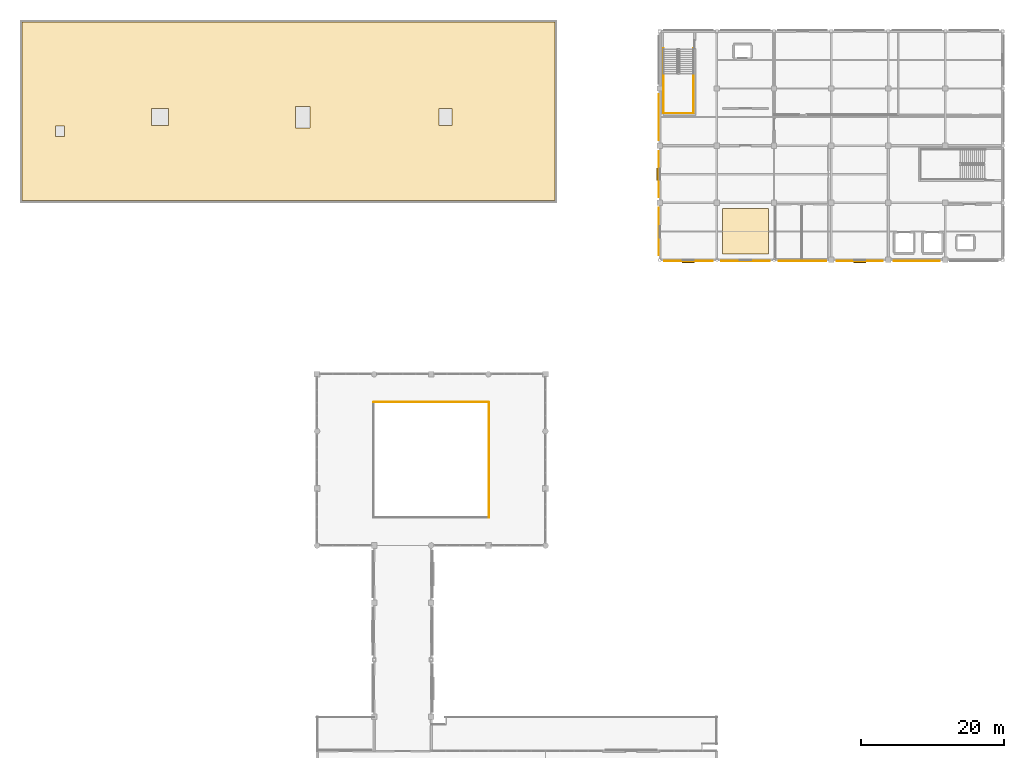
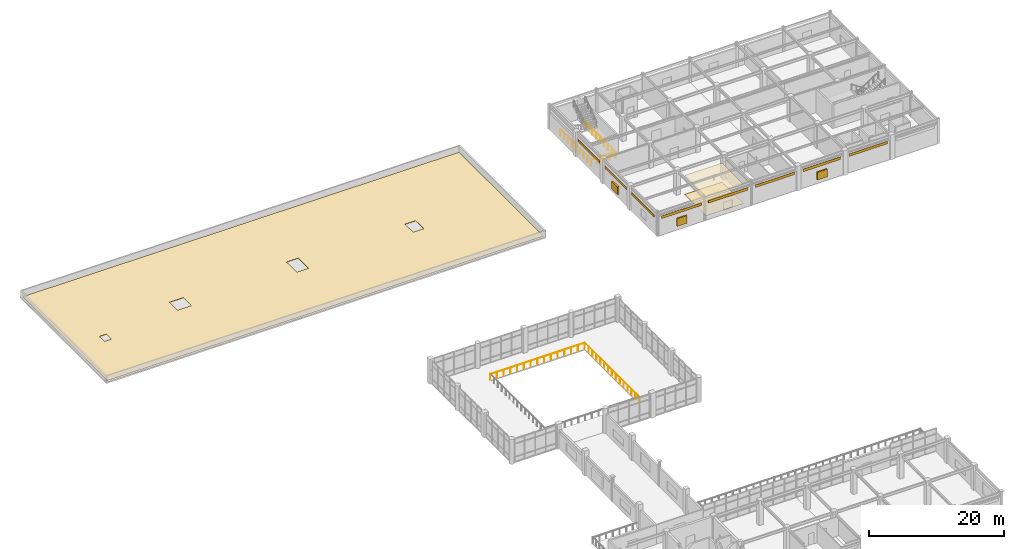
# One storey, part 39 of 42: 11 coverings, 5 railings, 3 shading devices.
"""IFC4 building model written with IfcOpenShell, lengths in metres."""

from ifc_helpers import new_model, si_unit, direction, frame, origin, origin_2d, place, context, subcontext, project, spatial, polyline, rectangle, circle, outline, extrude, material, layer, layer_set, type_object, element, save


model = new_model("IFC4")

# Units and contexts
model_context = context("Model", 3, precision=1e-05, world=origin(), true_north=direction((0.0, 1.0)))
body_context = subcontext(model_context, "Body", "Model", "MODEL_VIEW")
ifc_project = project(units=[si_unit("LENGTHUNIT", "METRE"), si_unit("AREAUNIT", "SQUARE_METRE"), si_unit("VOLUMEUNIT", "CUBIC_METRE"), si_unit("PLANEANGLEUNIT", "RADIAN"), si_unit("MASSUNIT", "GRAM", prefix="KILO")], contexts=[model_context])

# Site, building, storey
site_placement = place(None, origin())
site = spatial("IfcSite", under=ifc_project, at=site_placement, CompositionType="ELEMENT")
building_placement = place(site_placement, origin())
building = spatial("IfcBuilding", under=site, at=building_placement, Name="Solmirada Galleria", CompositionType="ELEMENT")
storey_placement = place(building_placement, frame((0.0, 0.0, 28.39990234375)))
storey = spatial("IfcBuildingStorey", under=building, at=storey_placement, Name="L06", CompositionType="ELEMENT", Elevation=28.39990234375)

# Coverings
ifc_material_1 = material(Name="Perforated acoustic mineral-fibre ceiling")
ifc_layer_1 = layer(ifc_material_1, 0.02490234375)
ifc_layer_set_1 = layer_set([ifc_layer_1], Name="Perforated acoustic mineral-fibre ceiling")
covering_type_1 = type_object("IfcCoveringType", Name="COV-CEIL-ACOUST", PredefinedType="CEILING", material=ifc_layer_set_1)
covering_1_placement = place(storey_placement, frame((0.0, 0.0, 3.4501953125)))
element("IfcCovering", 1, at=covering_1_placement, inside=storey, type_object=covering_type_1, Name="Acoustic ceiling panel L06-3", PredefinedType="CEILING", context=body_context, shape_type="SweptSolid", body=[
    extrude(outline(polyline([(136.800048828125, 88.800048828125), (143.199951171875, 88.800048828125), (143.199951171875, 95.199951171875), (136.800048828125, 95.199951171875), (136.800048828125, 88.800048828125)])), origin(), (0.0, 0.0, 1.0), 0.02490234375),
])
ifc_material_2 = material(Name="Limestone cladding panels", Category="masonry")
ifc_layer_2 = layer(ifc_material_2, 0.044921875)
ifc_layer_set_2 = layer_set([ifc_layer_2], Name="Limestone cladding panels")
covering_type_2 = type_object("IfcCoveringType", Name="COV-CLAD-LIME", PredefinedType="CLADDING", material=ifc_layer_set_2)
covering_2_placement = place(storey_placement, frame((156.0, 87.842529296875, 2.990234375), z_axis=(0.0, 0.0, 1.0), x_axis=(-1.0, 0.0, 0.0)))
element("IfcCovering", 2, at=covering_2_placement, inside=storey, type_object=covering_type_2, Name="Postmodern facade cladding L06-401", PredefinedType="CLADDING", context=body_context, shape_type="SweptSolid", body=[
    extrude(rectangle(XDim=6.449951171875, YDim=0.044921875, at=origin_2d()), origin(), (0.0, 0.0, 1.0), 0.4599609375),
])
covering_3_placement = place(storey_placement, frame((140.0, 87.842529296875, 2.990234375), z_axis=(0.0, 0.0, 1.0), x_axis=(-1.0, 0.0, 0.0)))
element("IfcCovering", 3, at=covering_3_placement, inside=storey, type_object=covering_type_2, Name="Postmodern facade cladding L06-403", PredefinedType="CLADDING", context=body_context, shape_type="SweptSolid", body=[
    extrude(rectangle(XDim=6.7939453125, YDim=0.044921875, at=origin_2d()), origin(), (0.0, 0.0, 1.0), 0.4599609375),
])
covering_4_placement = place(storey_placement, frame((127.842529296875, 92.0, 2.990234375), z_axis=(0.0, 0.0, 1.0), x_axis=(0.0, 1.0, 0.0)))
element("IfcCovering", 4, at=covering_4_placement, inside=storey, type_object=covering_type_2, Name="Postmodern facade cladding L06-405", PredefinedType="CLADDING", context=body_context, shape_type="SweptSolid", body=[
    extrude(rectangle(XDim=6.6220703125, YDim=0.044921875, at=origin_2d()), origin(), (0.0, 0.0, 1.0), 0.4599609375),
])
covering_5_placement = place(storey_placement, frame((127.842529296875, 108.0, 2.990234375), z_axis=(0.0, 0.0, 1.0), x_axis=(0.0, 1.0, 0.0)))
element("IfcCovering", 5, at=covering_5_placement, inside=storey, type_object=covering_type_2, Name="Postmodern facade cladding L06-407", PredefinedType="CLADDING", context=body_context, shape_type="SweptSolid", body=[
    extrude(rectangle(XDim=6.449951171875, YDim=0.044921875, at=origin_2d()), origin(), (0.0, 0.0, 1.0), 0.4599609375),
])
ifc_material_3 = material(Name="Glazed terracotta facade panels", Category="masonry")
ifc_layer_3 = layer(ifc_material_3, 0.0400390625)
ifc_layer_set_3 = layer_set([ifc_layer_3], Name="Glazed terracotta facade panels")
covering_type_3 = type_object("IfcCoveringType", Name="COV-CLAD-TERRA", PredefinedType="CLADDING", material=ifc_layer_set_3)
covering_6_placement = place(storey_placement, frame((164.0, 87.844970703125, 2.990234375), z_axis=(0.0, 0.0, 1.0), x_axis=(-1.0, 0.0, 0.0)))
element("IfcCovering", 6, at=covering_6_placement, inside=storey, type_object=covering_type_3, Name="Postmodern facade cladding L06-400", PredefinedType="CLADDING", context=body_context, shape_type="SweptSolid", body=[
    extrude(rectangle(XDim=6.449951171875, YDim=0.0400390625, at=origin_2d()), origin(), (0.0, 0.0, 1.0), 0.4599609375),
])
covering_7_placement = place(storey_placement, frame((148.0, 87.844970703125, 2.990234375), z_axis=(0.0, 0.0, 1.0), x_axis=(-1.0, 0.0, 0.0)))
element("IfcCovering", 7, at=covering_7_placement, inside=storey, type_object=covering_type_3, Name="Postmodern facade cladding L06-402", PredefinedType="CLADDING", context=body_context, shape_type="SweptSolid", body=[
    extrude(rectangle(XDim=6.6220703125, YDim=0.0400390625, at=origin_2d()), origin(), (0.0, 0.0, 1.0), 0.4599609375),
])
covering_8_placement = place(storey_placement, frame((132.0, 87.844970703125, 2.990234375), z_axis=(0.0, 0.0, 1.0), x_axis=(-1.0, 0.0, 0.0)))
element("IfcCovering", 8, at=covering_8_placement, inside=storey, type_object=covering_type_3, Name="Postmodern facade cladding L06-404", PredefinedType="CLADDING", context=body_context, shape_type="SweptSolid", body=[
    extrude(rectangle(XDim=6.7939453125, YDim=0.0400390625, at=origin_2d()), origin(), (0.0, 0.0, 1.0), 0.4599609375),
])
covering_9_placement = place(storey_placement, frame((127.844970703125, 100.0, 2.990234375), z_axis=(0.0, 0.0, 1.0), x_axis=(0.0, 1.0, 0.0)))
element("IfcCovering", 9, at=covering_9_placement, inside=storey, type_object=covering_type_3, Name="Postmodern facade cladding L06-406", PredefinedType="CLADDING", context=body_context, shape_type="SweptSolid", body=[
    extrude(rectangle(XDim=6.449951171875, YDim=0.0400390625, at=origin_2d()), origin(), (0.0, 0.0, 1.0), 0.4599609375),
])
ifc_material_4 = material(Name="Polished terrazzo and porcelain tile flooring")
ifc_layer_4 = layer(ifc_material_4, 0.030029296875)
ifc_layer_set_4 = layer_set([ifc_layer_4], Name="Polished terrazzo and porcelain tile flooring")
covering_type_4 = type_object("IfcCoveringType", Name="COV-FLOOR-TERRAZ", PredefinedType="FLOORING", material=ifc_layer_set_4)
covering_10_placement = place(storey_placement, origin())
element("IfcCovering", 10, at=covering_10_placement, inside=storey, type_object=covering_type_4, Name="Terrazzo floor finish L06-3", PredefinedType="FLOORING", context=body_context, shape_type="SweptSolid", body=[
    extrude(outline(polyline([(136.800048828125, 88.800048828125), (143.199951171875, 88.800048828125), (143.199951171875, 95.199951171875), (136.800048828125, 95.199951171875), (136.800048828125, 88.800048828125)])), origin(), (0.0, 0.0, 1.0), 0.030029296875),
])
ifc_material_5 = material(Name="Insulated TPO and standing-seam roofing membrane")
ifc_layer_5 = layer(ifc_material_5, 0.06005859375)
ifc_layer_set_5 = layer_set([ifc_layer_5], Name="Insulated TPO and standing-seam roofing membrane")
covering_type_5 = type_object("IfcCoveringType", Name="COV-ROOF-MEM", PredefinedType="ROOFING", material=ifc_layer_set_5)
covering_11_placement = place(storey_placement, origin())
element("IfcCovering", 11, at=covering_11_placement, inside=storey, type_object=covering_type_5, Name="Insulated roof membrane ROOF-NORTH-MAIN", PredefinedType="ROOFING", context=body_context, shape_type="SweptSolid", body=[
    extrude(outline(polyline([(38.699951171875, 96.300048828125), (113.300048828125, 96.300048828125), (113.300048828125, 121.300048828125), (38.699951171875, 121.300048828125), (38.699951171875, 96.300048828125)]), holes=[polyline([(56.800048828125, 106.800048828125), (59.199951171875, 106.800048828125), (59.199951171875, 109.199951171875), (56.800048828125, 109.199951171875), (56.800048828125, 106.800048828125)]), polyline([(77.0, 106.5), (79.0, 106.5), (79.0, 109.5), (77.0, 109.5), (77.0, 106.5)]), polyline([(97.10009765625, 106.800048828125), (98.89990234375, 106.800048828125), (98.89990234375, 109.199951171875), (97.10009765625, 109.199951171875), (97.10009765625, 106.800048828125)]), polyline([(43.39990234375, 105.25), (44.60009765625, 105.25), (44.60009765625, 106.75), (43.39990234375, 106.75), (43.39990234375, 105.25)])]), origin(), (0.0, 0.0, 1.0), 0.06005859375),
])

# Railings
ifc_material_6 = material(Name="Tempered laminated glass and stainless-steel balustrade", Category="steel")
railing_type_1 = type_object("IfcRailingType", Name="RAIL-ATRIUM-BAL", PredefinedType="BALUSTRADE", material=ifc_material_6)
railing_1_placement = place(storey_placement, frame((104.080078125, 51.919921875, 0.0)))
element("IfcRailing", 12, at=railing_1_placement, inside=storey, type_object=railing_type_1, Name="Void balustrade ATRIUM L06-E1", PredefinedType="BALUSTRADE", context=body_context, shape_type="SweptSolid", body=[
    extrude(circle(Radius=0.02392578125, at=origin_2d()), frame((0.0, 0.0, 1.09619140625), z_axis=(0.0, 1.0, 0.0), x_axis=(-1.0, 0.0, 0.0)), (0.0, 0.0, 1.0), 16.16015625),
    extrude(circle(Radius=0.02099609375, at=origin_2d()), origin(), (0.0, 0.0, 1.0), 1.068115234375),
    extrude(circle(Radius=0.02099609375, at=origin_2d()), frame((0.0, 1.154296875, 0.0)), (0.0, 0.0, 1.0), 1.068115234375),
    extrude(circle(Radius=0.02099609375, at=origin_2d()), frame((0.0, 2.30859375, 0.0)), (0.0, 0.0, 1.0), 1.068115234375),
    extrude(circle(Radius=0.02099609375, at=origin_2d()), frame((0.0, 3.462890625, 0.0)), (0.0, 0.0, 1.0), 1.068115234375),
    extrude(circle(Radius=0.02099609375, at=origin_2d()), frame((0.0, 4.6171875, 0.0)), (0.0, 0.0, 1.0), 1.068115234375),
    extrude(circle(Radius=0.02099609375, at=origin_2d()), frame((0.0, 5.771484375, 0.0)), (0.0, 0.0, 1.0), 1.068115234375),
    extrude(circle(Radius=0.02099609375, at=origin_2d()), frame((0.0, 6.92578125, 0.0)), (0.0, 0.0, 1.0), 1.068115234375),
    extrude(circle(Radius=0.02099609375, at=origin_2d()), frame((0.0, 8.080078125, 0.0)), (0.0, 0.0, 1.0), 1.068115234375),
    extrude(circle(Radius=0.02099609375, at=origin_2d()), frame((0.0, 9.234375, 0.0)), (0.0, 0.0, 1.0), 1.068115234375),
    extrude(circle(Radius=0.02099609375, at=origin_2d()), frame((0.0, 10.388671875, 0.0)), (0.0, 0.0, 1.0), 1.068115234375),
    extrude(circle(Radius=0.02099609375, at=origin_2d()), frame((0.0, 11.54296875, 0.0)), (0.0, 0.0, 1.0), 1.068115234375),
    extrude(circle(Radius=0.02099609375, at=origin_2d()), frame((0.0, 12.697265625, 0.0)), (0.0, 0.0, 1.0), 1.068115234375),
    extrude(circle(Radius=0.02099609375, at=origin_2d()), frame((0.0, 13.8515625, 0.0)), (0.0, 0.0, 1.0), 1.068115234375),
    extrude(circle(Radius=0.02099609375, at=origin_2d()), frame((0.0, 15.005859375, 0.0)), (0.0, 0.0, 1.0), 1.068115234375),
    extrude(circle(Radius=0.02099609375, at=origin_2d()), frame((0.0, 16.16015625, 0.0)), (0.0, 0.0, 1.0), 1.068115234375),
])
railing_2_placement = place(storey_placement, frame((87.919921875, 68.080078125, 0.0)))
element("IfcRailing", 13, at=railing_2_placement, inside=storey, type_object=railing_type_1, Name="Void balustrade ATRIUM L06-N", PredefinedType="BALUSTRADE", context=body_context, shape_type="SweptSolid", body=[
    extrude(circle(Radius=0.02392578125, at=origin_2d()), frame((0.0, 0.0, 1.09619140625), z_axis=(1.0, 0.0, 0.0), x_axis=(0.0, 1.0, 0.0)), (0.0, 0.0, 1.0), 16.16015625),
    extrude(circle(Radius=0.02099609375, at=origin_2d()), origin(), (0.0, 0.0, 1.0), 1.068115234375),
    extrude(circle(Radius=0.02099609375, at=origin_2d()), frame((1.154296875, 0.0, 0.0)), (0.0, 0.0, 1.0), 1.068115234375),
    extrude(circle(Radius=0.02099609375, at=origin_2d()), frame((2.30859375, 0.0, 0.0)), (0.0, 0.0, 1.0), 1.068115234375),
    extrude(circle(Radius=0.02099609375, at=origin_2d()), frame((3.462890625, 0.0, 0.0)), (0.0, 0.0, 1.0), 1.068115234375),
    extrude(circle(Radius=0.02099609375, at=origin_2d()), frame((4.6171875, 0.0, 0.0)), (0.0, 0.0, 1.0), 1.068115234375),
    extrude(circle(Radius=0.02099609375, at=origin_2d()), frame((5.771484375, 0.0, 0.0)), (0.0, 0.0, 1.0), 1.068115234375),
    extrude(circle(Radius=0.02099609375, at=origin_2d()), frame((6.92578125, 0.0, 0.0)), (0.0, 0.0, 1.0), 1.068115234375),
    extrude(circle(Radius=0.02099609375, at=origin_2d()), frame((8.080078125, 0.0, 0.0)), (0.0, 0.0, 1.0), 1.068115234375),
    extrude(circle(Radius=0.02099609375, at=origin_2d()), frame((9.234375, 0.0, 0.0)), (0.0, 0.0, 1.0), 1.068115234375),
    extrude(circle(Radius=0.02099609375, at=origin_2d()), frame((10.388671875, 0.0, 0.0)), (0.0, 0.0, 1.0), 1.068115234375),
    extrude(circle(Radius=0.02099609375, at=origin_2d()), frame((11.54296875, 0.0, 0.0)), (0.0, 0.0, 1.0), 1.068115234375),
    extrude(circle(Radius=0.02099609375, at=origin_2d()), frame((12.697265625, 0.0, 0.0)), (0.0, 0.0, 1.0), 1.068115234375),
    extrude(circle(Radius=0.02099609375, at=origin_2d()), frame((13.8515625, 0.0, 0.0)), (0.0, 0.0, 1.0), 1.068115234375),
    extrude(circle(Radius=0.02099609375, at=origin_2d()), frame((15.005859375, 0.0, 0.0)), (0.0, 0.0, 1.0), 1.068115234375),
    extrude(circle(Radius=0.02099609375, at=origin_2d()), frame((16.16015625, 0.0, 0.0)), (0.0, 0.0, 1.0), 1.068115234375),
])
ifc_material_7 = material(Name="Painted steel tubular railing", Category="steel")
railing_type_2 = type_object("IfcRailingType", Name="RAIL-STAIR-GUARD", PredefinedType="GUARDRAIL", material=ifc_material_7)
railing_3_placement = place(storey_placement, frame((132.7099609375, 117.64990234375, 0.0)))
element("IfcRailing", 14, at=railing_3_placement, inside=storey, type_object=railing_type_2, Name="Stair ST3 well edge guard L06-1", PredefinedType="GUARDRAIL", context=body_context, shape_type="SweptSolid", body=[
    extrude(circle(Radius=0.02392578125, at=origin_2d()), frame((0.0, 0.0, 1.09619140625), z_axis=(0.0, -1.0, 0.0), x_axis=(1.0, 0.0, 0.0)), (0.0, 0.0, 1.0), 9.10986328125),
    extrude(circle(Radius=0.02099609375, at=origin_2d()), origin(), (0.0, 0.0, 1.0), 1.068115234375),
    extrude(circle(Radius=0.02099609375, at=origin_2d()), frame((0.0, -1.138671875, 0.0)), (0.0, 0.0, 1.0), 1.068115234375),
    extrude(circle(Radius=0.02099609375, at=origin_2d()), frame((0.0, -2.27734375, 0.0)), (0.0, 0.0, 1.0), 1.068115234375),
    extrude(circle(Radius=0.02099609375, at=origin_2d()), frame((0.0, -3.416259765625, 0.0)), (0.0, 0.0, 1.0), 1.068115234375),
    extrude(circle(Radius=0.02099609375, at=origin_2d()), frame((0.0, -4.554931640625, 0.0)), (0.0, 0.0, 1.0), 1.068115234375),
    extrude(circle(Radius=0.02099609375, at=origin_2d()), frame((0.0, -5.693603515625, 0.0)), (0.0, 0.0, 1.0), 1.068115234375),
    extrude(circle(Radius=0.02099609375, at=origin_2d()), frame((0.0, -6.83251953125, 0.0)), (0.0, 0.0, 1.0), 1.068115234375),
    extrude(circle(Radius=0.02099609375, at=origin_2d()), frame((0.0, -7.97119140625, 0.0)), (0.0, 0.0, 1.0), 1.068115234375),
    extrude(circle(Radius=0.02099609375, at=origin_2d()), frame((0.0, -9.10986328125, 0.0)), (0.0, 0.0, 1.0), 1.068115234375),
])
railing_4_placement = place(storey_placement, frame((132.7099609375, 108.5400390625, 0.0)))
element("IfcRailing", 15, at=railing_4_placement, inside=storey, type_object=railing_type_2, Name="Stair ST3 well edge guard L06-2", PredefinedType="GUARDRAIL", context=body_context, shape_type="SweptSolid", body=[
    extrude(circle(Radius=0.02392578125, at=origin_2d()), frame((0.0, 0.0, 1.09619140625), z_axis=(-1.0, 0.0, 0.0), x_axis=(0.0, -1.0, 0.0)), (0.0, 0.0, 1.0), 4.169921875),
    extrude(circle(Radius=0.02099609375, at=origin_2d()), origin(), (0.0, 0.0, 1.0), 1.068115234375),
    extrude(circle(Radius=0.02099609375, at=origin_2d()), frame((-1.04248046875, 0.0, 0.0)), (0.0, 0.0, 1.0), 1.068115234375),
    extrude(circle(Radius=0.02099609375, at=origin_2d()), frame((-2.0849609375, 0.0, 0.0)), (0.0, 0.0, 1.0), 1.068115234375),
    extrude(circle(Radius=0.02099609375, at=origin_2d()), frame((-3.12744140625, 0.0, 0.0)), (0.0, 0.0, 1.0), 1.068115234375),
    extrude(circle(Radius=0.02099609375, at=origin_2d()), frame((-4.169921875, 0.0, 0.0)), (0.0, 0.0, 1.0), 1.068115234375),
])
railing_5_placement = place(storey_placement, frame((128.5400390625, 108.5400390625, 0.0)))
element("IfcRailing", 16, at=railing_5_placement, inside=storey, type_object=railing_type_2, Name="Stair ST3 well edge guard L06-3", PredefinedType="GUARDRAIL", context=body_context, shape_type="SweptSolid", body=[
    extrude(circle(Radius=0.02392578125, at=origin_2d()), frame((0.0, 0.0, 1.09619140625), z_axis=(0.0, 1.0, 0.0), x_axis=(-1.0, 0.0, 0.0)), (0.0, 0.0, 1.0), 9.10986328125),
    extrude(circle(Radius=0.02099609375, at=origin_2d()), origin(), (0.0, 0.0, 1.0), 1.068115234375),
    extrude(circle(Radius=0.02099609375, at=origin_2d()), frame((0.0, 1.138671875, 0.0)), (0.0, 0.0, 1.0), 1.068115234375),
    extrude(circle(Radius=0.02099609375, at=origin_2d()), frame((0.0, 2.27734375, 0.0)), (0.0, 0.0, 1.0), 1.068115234375),
    extrude(circle(Radius=0.02099609375, at=origin_2d()), frame((0.0, 3.416259765625, 0.0)), (0.0, 0.0, 1.0), 1.068115234375),
    extrude(circle(Radius=0.02099609375, at=origin_2d()), frame((0.0, 4.554931640625, 0.0)), (0.0, 0.0, 1.0), 1.068115234375),
    extrude(circle(Radius=0.02099609375, at=origin_2d()), frame((0.0, 5.693603515625, 0.0)), (0.0, 0.0, 1.0), 1.068115234375),
    extrude(circle(Radius=0.02099609375, at=origin_2d()), frame((0.0, 6.83251953125, 0.0)), (0.0, 0.0, 1.0), 1.068115234375),
    extrude(circle(Radius=0.02099609375, at=origin_2d()), frame((0.0, 7.97119140625, 0.0)), (0.0, 0.0, 1.0), 1.068115234375),
    extrude(circle(Radius=0.02099609375, at=origin_2d()), frame((0.0, 9.10986328125, 0.0)), (0.0, 0.0, 1.0), 1.068115234375),
])

# Shading devices
ifc_material_8 = material(Name="Extruded aluminium storm louvres", Category="aluminium")
shading_device_type = type_object("IfcShadingDeviceType", Name="SHD-JALOUSIE", PredefinedType="JALOUSIE", material=ifc_material_8)
for number, where, z_axis, x_axis, name in (
    (17, (156.0, 87.735107421875, 0.800048828125), (0.0, 0.0, 1.0), (-1.0, 0.0, 0.0), "Hurricane storm jalousie louvre 113"),
    (18, (132.0, 87.735107421875, 0.800048828125), (0.0, 0.0, 1.0), (-1.0, 0.0, 0.0), "Hurricane storm jalousie louvre 114"),
    (19, (127.735107421875, 100.0, 0.800048828125), (0.0, 0.0, 1.0), (0.0, 1.0, 0.0), "Hurricane storm jalousie louvre 115"),
):
    element("IfcShadingDevice", number, at=place(storey_placement, frame(where, z_axis=z_axis, x_axis=x_axis)), inside=storey, type_object=shading_device_type, Name=name, PredefinedType="JALOUSIE", context=body_context, shape_type="SweptSolid", body=[
        extrude(rectangle(XDim=1.7099609375, YDim=0.260009765625, at=origin_2d()), origin(), (0.0, 0.0, 1.0), 1.39990234375),
    ])

save(model, "model.ifc")
